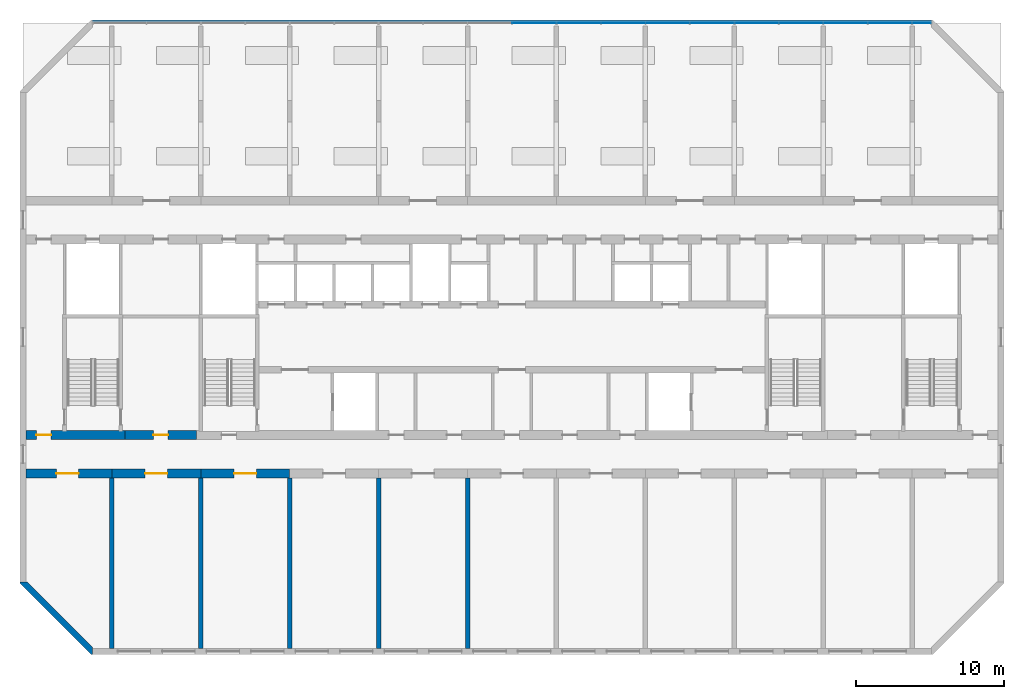
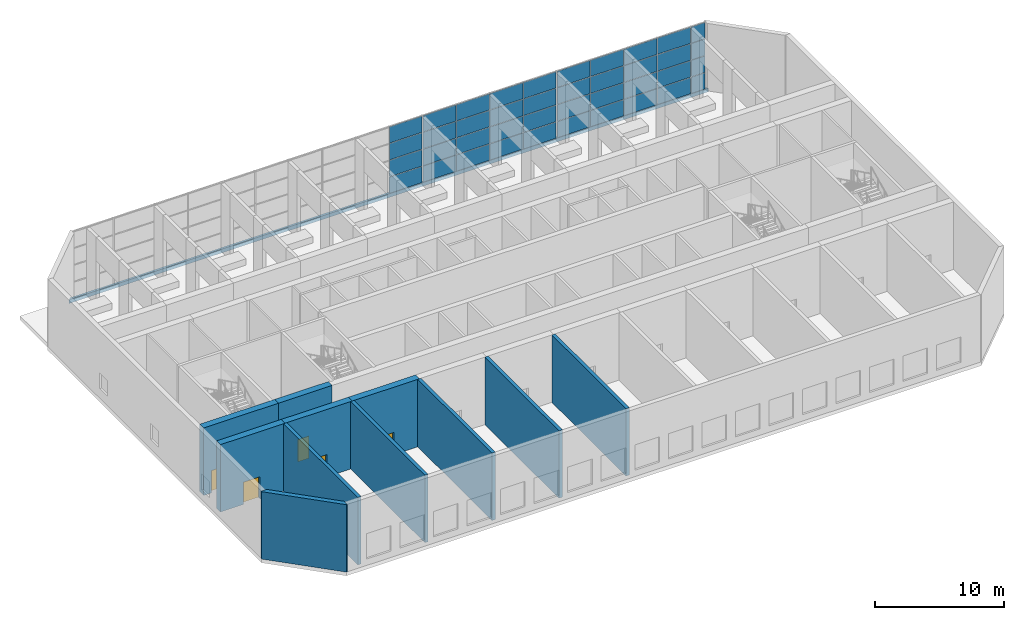
# One storey, part 5 of 13: 40 plates, 11 walls, 5 doors, 1 slab, 5 openings, 4 elements without a shape of their own.
"""IFC4 building model written with IfcOpenShell, lengths in metres."""

import ifcopenshell
import ifcopenshell.guid

model = None  # the IFC model being written
_history = None  # IfcOwnerHistory: only IFC2X3 demands one
_inside = {}  # id of a spatial element -> (the spatial element, [elements in it])
_under = {}  # id of a project, library or spatial element -> (it, [spatial elements below it])
_declared = {}  # id of a project -> (the project, [libraries it declares])
_typed = {}  # id of a type object -> (the type object, [elements of that type])
_made_of = {}  # id of a material, layer set ... -> (it, [elements and type objects made of it])


def new_model(schema):
    """Start an empty IFC model of exactly this schema.

    Asked for "IFC4X3", IfcOpenShell would pick the latest addendum, in which some entities
    have other attributes; the version numbers below select the first issue.
    IFC2X3 requires an IfcOwnerHistory on every rooted entity: one is made here for all.
    """
    global model, _history
    if schema == "IFC4X3":
        model = ifcopenshell.file(schema_version=(4, 3, 0, 0))
    else:
        model = ifcopenshell.file(schema=schema)
    _inside.clear()
    _under.clear()
    _declared.clear()
    _typed.clear()
    _made_of.clear()
    _history = None
    if model.schema == "IFC2X3":
        org = make("IfcOrganization", Name="unknown")
        user = make(
            "IfcPersonAndOrganization",
            ThePerson=make("IfcPerson", FamilyName="unknown"),
            TheOrganization=org,
        )
        app = make(
            "IfcApplication",
            ApplicationDeveloper=org,
            Version="unknown",
            ApplicationFullName="unknown",
            ApplicationIdentifier="unknown",
        )
        _history = make(
            "IfcOwnerHistory",
            OwningUser=user,
            OwningApplication=app,
            ChangeAction="ADDED",
            CreationDate=0,
        )
    return model


def make(cls, **values):
    """One entity of the class cls with the attributes given. An attribute that is None is left unset."""
    return model.create_entity(
        cls, **{name: value for name, value in values.items() if value is not None}
    )


def rooted(cls, **values):
    """An entity with a GlobalId (a new one), such as an element, a storey or a relation."""
    return make(cls, GlobalId=ifcopenshell.guid.new(), OwnerHistory=_history, **values)


def si_unit(unit_type, name, prefix=None):
    """IfcSIUnit, for example si_unit("LENGTHUNIT", "METRE", prefix="MILLI")."""
    return make("IfcSIUnit", UnitType=unit_type, Prefix=prefix, Name=name)


def assignment(units):
    """IfcUnitAssignment: the units of a project."""
    return None if units is None else make("IfcUnitAssignment", Units=units)


def point(xyz):
    """IfcCartesianPoint."""
    return None if xyz is None else make("IfcCartesianPoint", Coordinates=xyz)


def direction(xyz):
    """IfcDirection."""
    return None if xyz is None else make("IfcDirection", DirectionRatios=xyz)


def frame(location, z_axis=None, x_axis=None):
    """IfcAxis2Placement3D, a coordinate frame: its origin and axes. An axis left out is left unset."""
    return make(
        "IfcAxis2Placement3D",
        Location=point(location),
        Axis=direction(z_axis),
        RefDirection=direction(x_axis),
    )


def frame_2d(location, x_axis=None):
    """IfcAxis2Placement2D, a coordinate frame in the plane: its origin and x axis."""
    return make(
        "IfcAxis2Placement2D", Location=point(location), RefDirection=direction(x_axis)
    )


def origin():
    """The frame at (0, 0, 0) with its axes left unset."""
    return frame((0.0, 0.0, 0.0))


def origin_2d():
    """The frame at (0, 0) in the plane with its x axis left unset."""
    return frame_2d((0.0, 0.0))


def place(relative_to, where):
    """IfcLocalPlacement: puts the frame where relative to a parent placement (None: the world)."""
    return make(
        "IfcLocalPlacement", PlacementRelTo=relative_to, RelativePlacement=where
    )


def context(
    kind, dimensions, precision=None, world=None, true_north=None, identifier=None
):
    """IfcGeometricRepresentationContext, for example the 3D "Model" context."""
    return make(
        "IfcGeometricRepresentationContext",
        ContextIdentifier=identifier,
        ContextType=kind,
        CoordinateSpaceDimension=dimensions,
        Precision=precision,
        WorldCoordinateSystem=world,
        TrueNorth=true_north,
    )


def subcontext(parent, identifier, kind, view, scale=None):
    """IfcGeometricRepresentationSubContext, for example "Body" below "Model"."""
    return make(
        "IfcGeometricRepresentationSubContext",
        ContextIdentifier=identifier,
        ContextType=kind,
        ParentContext=parent,
        TargetScale=scale,
        TargetView=view,
    )


def project(units=None, contexts=None):
    """IfcProject with its units and contexts."""
    return rooted(
        "IfcProject",
        Name="project",
        RepresentationContexts=contexts,
        UnitsInContext=assignment(units),
    )


def spatial(cls, under=None, at=None, **own):
    """A site, building, storey or space (cls), placed at a placement, below another one or the project."""
    s = rooted(cls, ObjectPlacement=at, **own)
    if under is not None:
        _under.setdefault(under.id(), (under, []))[1].append(s)
    return s


def polyline(points):
    """IfcPolyline through the points."""
    return make("IfcPolyline", Points=[point(p) for p in points])


def profile(cls, at=None, kind="AREA", **sizes):
    """A parametric profile (cls). Its sizes go by their IFC names, for example OverallWidth=200.0."""
    return make(cls, ProfileType=kind, Position=at, **sizes)


def rectangle(**sizes):
    """IfcRectangleProfileDef."""
    return profile("IfcRectangleProfileDef", **sizes)


def outline(outer, holes=None, kind="AREA"):
    """IfcArbitraryClosedProfileDef: a profile drawn as a closed curve; with holes, ...WithVoids."""
    if holes is None:
        return make("IfcArbitraryClosedProfileDef", ProfileType=kind, OuterCurve=outer)
    return make(
        "IfcArbitraryProfileDefWithVoids",
        ProfileType=kind,
        OuterCurve=outer,
        InnerCurves=holes,
    )


def extrude(swept, where, along, depth):
    """IfcExtrudedAreaSolid: the profile swept, set in the frame where, extruded along a direction by depth."""
    return make(
        "IfcExtrudedAreaSolid",
        SweptArea=swept,
        Position=where,
        ExtrudedDirection=direction(along),
        Depth=depth,
    )


def shape(context_of_items, identifier, shape_type, items):
    """IfcShapeRepresentation: the items that make up one representation, for example the "Body"."""
    return make(
        "IfcShapeRepresentation",
        ContextOfItems=context_of_items,
        RepresentationIdentifier=identifier,
        RepresentationType=shape_type,
        Items=items,
    )


def source(mapping_origin, context_of_items, identifier, shape_type, items):
    """IfcRepresentationMap: a shape defined once, which mapped items show again and again."""
    return make(
        "IfcRepresentationMap",
        MappingOrigin=mapping_origin,
        MappedRepresentation=shape(context_of_items, identifier, shape_type, items),
    )


def transform(
    local_origin,
    x_axis=None,
    y_axis=None,
    z_axis=None,
    scale=None,
    scale2=None,
    scale3=None,
    uniform=True,
):
    """IfcCartesianTransformationOperator3D, or its non-uniform kind. x_axis, y_axis, z_axis: its Axis1, 2, 3."""
    if uniform:
        return make(
            "IfcCartesianTransformationOperator3D",
            Axis1=direction(x_axis),
            Axis2=direction(y_axis),
            LocalOrigin=point(local_origin),
            Scale=scale,
            Axis3=direction(z_axis),
        )
    return make(
        "IfcCartesianTransformationOperator3DnonUniform",
        Axis1=direction(x_axis),
        Axis2=direction(y_axis),
        LocalOrigin=point(local_origin),
        Scale=scale,
        Axis3=direction(z_axis),
        Scale2=scale2,
        Scale3=scale3,
    )


def mapped(mapping_source, mapping_target):
    """IfcMappedItem: shows the shape of a source again, moved by a transform."""
    return make(
        "IfcMappedItem", MappingSource=mapping_source, MappingTarget=mapping_target
    )


def material(Name=None, Category=None):
    """IfcMaterial."""
    return make("IfcMaterial", Name=Name, Category=Category)


def layer(
    of_material, thickness, ventilated=None, Name=None, Category=None, Priority=None
):
    """IfcMaterialLayer: one layer of a wall or slab, of a material (None: an air gap)."""
    return make(
        "IfcMaterialLayer",
        Material=of_material,
        LayerThickness=thickness,
        IsVentilated=ventilated,
        Name=Name,
        Category=Category,
        Priority=Priority,
    )


def layer_set(layers, Name=None):
    """IfcMaterialLayerSet."""
    return make("IfcMaterialLayerSet", MaterialLayers=layers, LayerSetName=Name)


def made_of(thing, what):
    """Note that an element or type object is made of a material, layer set ...; save() writes the relation."""
    if what is not None:
        _made_of.setdefault(what.id(), (what, []))[1].append(thing)
    return thing


def type_object(cls, material=None, **own):
    """A type object (cls), such as IfcWallType, which elements share."""
    return made_of(rooted(cls, **own), material)


def element(
    cls,
    number,
    at=None,
    inside=None,
    cuts=None,
    type_object=None,
    material=None,
    context=None,
    identifier="Body",
    shape_type=None,
    held_by="IfcProductDefinitionShape",
    body=None,
    shapes=None,
    **own,
):
    """One element of the class cls, such as IfcWall. Its Tag is "e" and its number.

    at: its placement. inside: the storey or other place that contains it. cuts: it is an
    opening in that element (IfcRelVoidsElement). A single representation is given by context,
    identifier, shape_type and body (its items); several are given by shapes. held_by: the class
    of the entity that holds the representations. save() writes the other relations.
    """
    e = rooted(cls, Tag="e%d" % number, ObjectPlacement=at, **own)
    if body is not None:
        shapes = [shape(context, identifier, shape_type, body)]
    if shapes is not None:
        e.Representation = make(held_by, Representations=shapes)
    if inside is not None:
        _inside.setdefault(inside.id(), (inside, []))[1].append(e)
    if cuts is not None:
        rooted(
            "IfcRelVoidsElement", RelatingBuildingElement=cuts, RelatedOpeningElement=e
        )
    if type_object is not None:
        _typed.setdefault(type_object.id(), (type_object, []))[1].append(e)
    return made_of(e, material)


def fill(opening, filler):
    """IfcRelFillsElement: the door or window that sits in an opening."""
    return rooted(
        "IfcRelFillsElement",
        RelatingOpeningElement=opening,
        RelatedBuildingElement=filler,
    )


def aggregate(whole, parts):
    """IfcRelAggregates: a whole, such as a stair, and the parts it consists of."""
    return rooted("IfcRelAggregates", RelatingObject=whole, RelatedObjects=parts)


def save(model, path):
    """Write the relations noted so far, then the file.

    IfcRelAggregates (storeys below a building ...), IfcRelContainedInSpatialStructure (elements
    in a storey), IfcRelDefinesByType, IfcRelAssociatesMaterial and IfcRelDeclares: one each for
    every whole, place, type object, material and project.
    """
    for whole, parts in _under.values():
        aggregate(whole, parts)
    for where, things in _inside.values():
        rooted(
            "IfcRelContainedInSpatialStructure",
            RelatedElements=things,
            RelatingStructure=where,
        )
    for kind, things in _typed.values():
        rooted("IfcRelDefinesByType", RelatedObjects=things, RelatingType=kind)
    for what, things in _made_of.values():
        rooted("IfcRelAssociatesMaterial", RelatedObjects=things, RelatingMaterial=what)
    for by, libraries in _declared.values():
        rooted("IfcRelDeclares", RelatingContext=by, RelatedDefinitions=libraries)
    model.write(path)


model = new_model("IFC4")

# Units and contexts
model_context = context("Model", 3, precision=1e-05, world=origin(), true_north=direction((0.0, 1.0)))
body_context = subcontext(model_context, "Body", "Model", "MODEL_VIEW")
ifc_project = project(units=[si_unit("LENGTHUNIT", "METRE"), si_unit("AREAUNIT", "SQUARE_METRE"), si_unit("VOLUMEUNIT", "CUBIC_METRE"), si_unit("PLANEANGLEUNIT", "RADIAN"), si_unit("MASSUNIT", "GRAM", prefix="KILO")], contexts=[model_context])

# Site, building, storey
site_placement = place(None, origin())
site = spatial("IfcSite", under=ifc_project, at=site_placement, CompositionType="ELEMENT")
building_placement = place(site_placement, origin())
building = spatial("IfcBuilding", under=site, at=building_placement, Name="Poui Terraces", CompositionType="ELEMENT")
storey_placement = place(building_placement, frame((0.0, 0.0, 165.300048828125)))
storey = spatial("IfcBuildingStorey", under=building, at=storey_placement, Name="L46", CompositionType="ELEMENT", Elevation=165.300048828125)

# Curtain wall, plates
ifc_material_1 = material(Name="Clear glass", Category="glass")
ifc_layer_1 = layer(ifc_material_1, 0.159912109375)
ifc_layer_set_1 = layer_set([ifc_layer_1], Name="Clear glass")
curtain_wall_type = type_object("IfcCurtainWallType", Name="CURTAIN WALL CW-D SKY GARDEN GLAZING", PredefinedType="NOTDEFINED", material=ifc_layer_set_1)
curtain_wall_1_placement = place(storey_placement, origin())
curtain_wall_1 = element("IfcCurtainWall", 1, at=curtain_wall_1_placement, inside=storey, type_object=curtain_wall_type, Name="CW-D SKY GARDEN GLAZING", PredefinedType="NOTDEFINED")
ifc_layer_2 = layer(ifc_material_1, 0.052001953125)
ifc_layer_set_2 = layer_set([ifc_layer_2], Name="Clear glass")
plate_type = type_object("IfcPlateType", Name="CW-D GLASS PANEL 52", PredefinedType="CURTAIN_PANEL", material=ifc_layer_set_2)
plate_1_placement = place(storey_placement, frame((52.487548828125, 42.39990234375, 0.050048828125), z_axis=(0.0, 0.0, 1.0), x_axis=(-1.0, 0.0, 0.0)))
plate_1 = element("IfcPlate", 2, at=plate_1_placement, type_object=plate_type, Name="CW-D panel 1.1", PredefinedType="CURTAIN_PANEL", context=body_context, shape_type="SweptSolid", body=[
    extrude(rectangle(XDim=2.925048828125, YDim=0.052001953125, at=origin_2d()), origin(), (0.0, 0.0, 1.0), 1.52001953125),
])
plate_2_placement = place(storey_placement, frame((52.487548828125, 42.39990234375, 1.619873046875), z_axis=(0.0, 0.0, 1.0), x_axis=(-1.0, 0.0, 0.0)))
plate_2 = element("IfcPlate", 3, at=plate_2_placement, type_object=plate_type, Name="CW-D panel 1.2", PredefinedType="CURTAIN_PANEL", context=body_context, shape_type="SweptSolid", body=[
    extrude(rectangle(XDim=2.925048828125, YDim=0.052001953125, at=origin_2d()), origin(), (0.0, 0.0, 1.0), 1.544921875),
])
plate_3_placement = place(storey_placement, frame((52.487548828125, 42.39990234375, 3.215087890625), z_axis=(0.0, 0.0, 1.0), x_axis=(-1.0, 0.0, 0.0)))
plate_3 = element("IfcPlate", 4, at=plate_3_placement, type_object=plate_type, Name="CW-D panel 1.3", PredefinedType="CURTAIN_PANEL", context=body_context, shape_type="SweptSolid", body=[
    extrude(rectangle(XDim=2.925048828125, YDim=0.052001953125, at=origin_2d()), origin(), (0.0, 0.0, 1.0), 1.544921875),
])
plate_4_placement = place(storey_placement, frame((52.487548828125, 42.39990234375, 4.81005859375), z_axis=(0.0, 0.0, 1.0), x_axis=(-1.0, 0.0, 0.0)))
plate_4 = element("IfcPlate", 5, at=plate_4_placement, type_object=plate_type, Name="CW-D panel 1.4", PredefinedType="CURTAIN_PANEL", context=body_context, shape_type="SweptSolid", body=[
    extrude(rectangle(XDim=2.925048828125, YDim=0.052001953125, at=origin_2d()), origin(), (0.0, 0.0, 1.0), 1.52001953125),
])
aggregate(curtain_wall_1, [plate_1, plate_2, plate_3, plate_4])

curtain_wall_2_placement = place(storey_placement, origin())
curtain_wall_2 = element("IfcCurtainWall", 6, at=curtain_wall_2_placement, inside=storey, type_object=curtain_wall_type, Name="CW-D SKY GARDEN GLAZING", PredefinedType="NOTDEFINED")
plate_5_placement = place(storey_placement, frame((64.487548828125, 42.39990234375, 0.050048828125), z_axis=(0.0, 0.0, 1.0), x_axis=(-1.0, 0.0, 0.0)))
plate_5 = element("IfcPlate", 7, at=plate_5_placement, type_object=plate_type, Name="CW-D panel 1.1", PredefinedType="CURTAIN_PANEL", context=body_context, shape_type="SweptSolid", body=[
    extrude(rectangle(XDim=2.925048828125, YDim=0.052001953125, at=origin_2d()), origin(), (0.0, 0.0, 1.0), 1.52001953125),
])
plate_6_placement = place(storey_placement, frame((64.487548828125, 42.39990234375, 1.619873046875), z_axis=(0.0, 0.0, 1.0), x_axis=(-1.0, 0.0, 0.0)))
plate_6 = element("IfcPlate", 8, at=plate_6_placement, type_object=plate_type, Name="CW-D panel 1.2", PredefinedType="CURTAIN_PANEL", context=body_context, shape_type="SweptSolid", body=[
    extrude(rectangle(XDim=2.925048828125, YDim=0.052001953125, at=origin_2d()), origin(), (0.0, 0.0, 1.0), 1.544921875),
])
plate_7_placement = place(storey_placement, frame((64.487548828125, 42.39990234375, 3.215087890625), z_axis=(0.0, 0.0, 1.0), x_axis=(-1.0, 0.0, 0.0)))
plate_7 = element("IfcPlate", 9, at=plate_7_placement, type_object=plate_type, Name="CW-D panel 1.3", PredefinedType="CURTAIN_PANEL", context=body_context, shape_type="SweptSolid", body=[
    extrude(rectangle(XDim=2.925048828125, YDim=0.052001953125, at=origin_2d()), origin(), (0.0, 0.0, 1.0), 1.544921875),
])
plate_8_placement = place(storey_placement, frame((64.487548828125, 42.39990234375, 4.81005859375), z_axis=(0.0, 0.0, 1.0), x_axis=(-1.0, 0.0, 0.0)))
plate_8 = element("IfcPlate", 10, at=plate_8_placement, type_object=plate_type, Name="CW-D panel 1.4", PredefinedType="CURTAIN_PANEL", context=body_context, shape_type="SweptSolid", body=[
    extrude(rectangle(XDim=2.925048828125, YDim=0.052001953125, at=origin_2d()), origin(), (0.0, 0.0, 1.0), 1.52001953125),
])
plate_9_placement = place(storey_placement, frame((61.5, 42.39990234375, 0.050048828125), z_axis=(0.0, 0.0, 1.0), x_axis=(-1.0, 0.0, 0.0)))
plate_9 = element("IfcPlate", 11, at=plate_9_placement, type_object=plate_type, Name="CW-D panel 2.1", PredefinedType="CURTAIN_PANEL", context=body_context, shape_type="SweptSolid", body=[
    extrude(rectangle(XDim=2.949951171875, YDim=0.052001953125, at=origin_2d()), origin(), (0.0, 0.0, 1.0), 1.52001953125),
])
plate_10_placement = place(storey_placement, frame((61.5, 42.39990234375, 1.619873046875), z_axis=(0.0, 0.0, 1.0), x_axis=(-1.0, 0.0, 0.0)))
plate_10 = element("IfcPlate", 12, at=plate_10_placement, type_object=plate_type, Name="CW-D panel 2.2", PredefinedType="CURTAIN_PANEL", context=body_context, shape_type="SweptSolid", body=[
    extrude(rectangle(XDim=2.949951171875, YDim=0.052001953125, at=origin_2d()), origin(), (0.0, 0.0, 1.0), 1.544921875),
])
plate_11_placement = place(storey_placement, frame((61.5, 42.39990234375, 3.215087890625), z_axis=(0.0, 0.0, 1.0), x_axis=(-1.0, 0.0, 0.0)))
plate_11 = element("IfcPlate", 13, at=plate_11_placement, type_object=plate_type, Name="CW-D panel 2.3", PredefinedType="CURTAIN_PANEL", context=body_context, shape_type="SweptSolid", body=[
    extrude(rectangle(XDim=2.949951171875, YDim=0.052001953125, at=origin_2d()), origin(), (0.0, 0.0, 1.0), 1.544921875),
])
plate_12_placement = place(storey_placement, frame((61.5, 42.39990234375, 4.81005859375), z_axis=(0.0, 0.0, 1.0), x_axis=(-1.0, 0.0, 0.0)))
plate_12 = element("IfcPlate", 14, at=plate_12_placement, type_object=plate_type, Name="CW-D panel 2.4", PredefinedType="CURTAIN_PANEL", context=body_context, shape_type="SweptSolid", body=[
    extrude(rectangle(XDim=2.949951171875, YDim=0.052001953125, at=origin_2d()), origin(), (0.0, 0.0, 1.0), 1.52001953125),
])
plate_13_placement = place(storey_placement, frame((58.5, 42.39990234375, 0.050048828125), z_axis=(0.0, 0.0, 1.0), x_axis=(-1.0, 0.0, 0.0)))
plate_13 = element("IfcPlate", 15, at=plate_13_placement, type_object=plate_type, Name="CW-D panel 3.1", PredefinedType="CURTAIN_PANEL", context=body_context, shape_type="SweptSolid", body=[
    extrude(rectangle(XDim=2.949951171875, YDim=0.052001953125, at=origin_2d()), origin(), (0.0, 0.0, 1.0), 1.52001953125),
])
plate_14_placement = place(storey_placement, frame((58.5, 42.39990234375, 1.619873046875), z_axis=(0.0, 0.0, 1.0), x_axis=(-1.0, 0.0, 0.0)))
plate_14 = element("IfcPlate", 16, at=plate_14_placement, type_object=plate_type, Name="CW-D panel 3.2", PredefinedType="CURTAIN_PANEL", context=body_context, shape_type="SweptSolid", body=[
    extrude(rectangle(XDim=2.949951171875, YDim=0.052001953125, at=origin_2d()), origin(), (0.0, 0.0, 1.0), 1.544921875),
])
plate_15_placement = place(storey_placement, frame((58.5, 42.39990234375, 3.215087890625), z_axis=(0.0, 0.0, 1.0), x_axis=(-1.0, 0.0, 0.0)))
plate_15 = element("IfcPlate", 17, at=plate_15_placement, type_object=plate_type, Name="CW-D panel 3.3", PredefinedType="CURTAIN_PANEL", context=body_context, shape_type="SweptSolid", body=[
    extrude(rectangle(XDim=2.949951171875, YDim=0.052001953125, at=origin_2d()), origin(), (0.0, 0.0, 1.0), 1.544921875),
])
plate_16_placement = place(storey_placement, frame((58.5, 42.39990234375, 4.81005859375), z_axis=(0.0, 0.0, 1.0), x_axis=(-1.0, 0.0, 0.0)))
plate_16 = element("IfcPlate", 18, at=plate_16_placement, type_object=plate_type, Name="CW-D panel 3.4", PredefinedType="CURTAIN_PANEL", context=body_context, shape_type="SweptSolid", body=[
    extrude(rectangle(XDim=2.949951171875, YDim=0.052001953125, at=origin_2d()), origin(), (0.0, 0.0, 1.0), 1.52001953125),
])
plate_17_placement = place(storey_placement, frame((55.512451171875, 42.39990234375, 0.050048828125), z_axis=(0.0, 0.0, 1.0), x_axis=(-1.0, 0.0, 0.0)))
plate_17 = element("IfcPlate", 19, at=plate_17_placement, type_object=plate_type, Name="CW-D panel 4.1", PredefinedType="CURTAIN_PANEL", context=body_context, shape_type="SweptSolid", body=[
    extrude(rectangle(XDim=2.925048828125, YDim=0.052001953125, at=origin_2d()), origin(), (0.0, 0.0, 1.0), 1.52001953125),
])
plate_18_placement = place(storey_placement, frame((55.512451171875, 42.39990234375, 1.619873046875), z_axis=(0.0, 0.0, 1.0), x_axis=(-1.0, 0.0, 0.0)))
plate_18 = element("IfcPlate", 20, at=plate_18_placement, type_object=plate_type, Name="CW-D panel 4.2", PredefinedType="CURTAIN_PANEL", context=body_context, shape_type="SweptSolid", body=[
    extrude(rectangle(XDim=2.925048828125, YDim=0.052001953125, at=origin_2d()), origin(), (0.0, 0.0, 1.0), 1.544921875),
])
plate_19_placement = place(storey_placement, frame((55.512451171875, 42.39990234375, 3.215087890625), z_axis=(0.0, 0.0, 1.0), x_axis=(-1.0, 0.0, 0.0)))
plate_19 = element("IfcPlate", 21, at=plate_19_placement, type_object=plate_type, Name="CW-D panel 4.3", PredefinedType="CURTAIN_PANEL", context=body_context, shape_type="SweptSolid", body=[
    extrude(rectangle(XDim=2.925048828125, YDim=0.052001953125, at=origin_2d()), origin(), (0.0, 0.0, 1.0), 1.544921875),
])
plate_20_placement = place(storey_placement, frame((55.512451171875, 42.39990234375, 4.81005859375), z_axis=(0.0, 0.0, 1.0), x_axis=(-1.0, 0.0, 0.0)))
plate_20 = element("IfcPlate", 22, at=plate_20_placement, type_object=plate_type, Name="CW-D panel 4.4", PredefinedType="CURTAIN_PANEL", context=body_context, shape_type="SweptSolid", body=[
    extrude(rectangle(XDim=2.925048828125, YDim=0.052001953125, at=origin_2d()), origin(), (0.0, 0.0, 1.0), 1.52001953125),
])
aggregate(curtain_wall_2, [plate_5, plate_6, plate_7, plate_8, plate_9, plate_10, plate_11, plate_12, plate_13, plate_14, plate_15, plate_16, plate_17, plate_18, plate_19, plate_20])

curtain_wall_3_placement = place(storey_placement, origin())
curtain_wall_3 = element("IfcCurtainWall", 23, at=curtain_wall_3_placement, inside=storey, type_object=curtain_wall_type, Name="CW-D SKY GARDEN GLAZING", PredefinedType="NOTDEFINED")
plate_21_placement = place(storey_placement, frame((76.487548828125, 42.39990234375, 0.050048828125), z_axis=(0.0, 0.0, 1.0), x_axis=(-1.0, 0.0, 0.0)))
plate_21 = element("IfcPlate", 24, at=plate_21_placement, type_object=plate_type, Name="CW-D panel 1.1", PredefinedType="CURTAIN_PANEL", context=body_context, shape_type="SweptSolid", body=[
    extrude(rectangle(XDim=2.925048828125, YDim=0.052001953125, at=origin_2d()), origin(), (0.0, 0.0, 1.0), 1.52001953125),
])
plate_22_placement = place(storey_placement, frame((76.487548828125, 42.39990234375, 1.619873046875), z_axis=(0.0, 0.0, 1.0), x_axis=(-1.0, 0.0, 0.0)))
plate_22 = element("IfcPlate", 25, at=plate_22_placement, type_object=plate_type, Name="CW-D panel 1.2", PredefinedType="CURTAIN_PANEL", context=body_context, shape_type="SweptSolid", body=[
    extrude(rectangle(XDim=2.925048828125, YDim=0.052001953125, at=origin_2d()), origin(), (0.0, 0.0, 1.0), 1.544921875),
])
plate_23_placement = place(storey_placement, frame((76.487548828125, 42.39990234375, 3.215087890625), z_axis=(0.0, 0.0, 1.0), x_axis=(-1.0, 0.0, 0.0)))
plate_23 = element("IfcPlate", 26, at=plate_23_placement, type_object=plate_type, Name="CW-D panel 1.3", PredefinedType="CURTAIN_PANEL", context=body_context, shape_type="SweptSolid", body=[
    extrude(rectangle(XDim=2.925048828125, YDim=0.052001953125, at=origin_2d()), origin(), (0.0, 0.0, 1.0), 1.544921875),
])
plate_24_placement = place(storey_placement, frame((76.487548828125, 42.39990234375, 4.81005859375), z_axis=(0.0, 0.0, 1.0), x_axis=(-1.0, 0.0, 0.0)))
plate_24 = element("IfcPlate", 27, at=plate_24_placement, type_object=plate_type, Name="CW-D panel 1.4", PredefinedType="CURTAIN_PANEL", context=body_context, shape_type="SweptSolid", body=[
    extrude(rectangle(XDim=2.925048828125, YDim=0.052001953125, at=origin_2d()), origin(), (0.0, 0.0, 1.0), 1.52001953125),
])
plate_25_placement = place(storey_placement, frame((73.5, 42.39990234375, 0.050048828125), z_axis=(0.0, 0.0, 1.0), x_axis=(-1.0, 0.0, 0.0)))
plate_25 = element("IfcPlate", 28, at=plate_25_placement, type_object=plate_type, Name="CW-D panel 2.1", PredefinedType="CURTAIN_PANEL", context=body_context, shape_type="SweptSolid", body=[
    extrude(rectangle(XDim=2.949951171875, YDim=0.052001953125, at=origin_2d()), origin(), (0.0, 0.0, 1.0), 1.52001953125),
])
plate_26_placement = place(storey_placement, frame((73.5, 42.39990234375, 1.619873046875), z_axis=(0.0, 0.0, 1.0), x_axis=(-1.0, 0.0, 0.0)))
plate_26 = element("IfcPlate", 29, at=plate_26_placement, type_object=plate_type, Name="CW-D panel 2.2", PredefinedType="CURTAIN_PANEL", context=body_context, shape_type="SweptSolid", body=[
    extrude(rectangle(XDim=2.949951171875, YDim=0.052001953125, at=origin_2d()), origin(), (0.0, 0.0, 1.0), 1.544921875),
])
plate_27_placement = place(storey_placement, frame((73.5, 42.39990234375, 3.215087890625), z_axis=(0.0, 0.0, 1.0), x_axis=(-1.0, 0.0, 0.0)))
plate_27 = element("IfcPlate", 30, at=plate_27_placement, type_object=plate_type, Name="CW-D panel 2.3", PredefinedType="CURTAIN_PANEL", context=body_context, shape_type="SweptSolid", body=[
    extrude(rectangle(XDim=2.949951171875, YDim=0.052001953125, at=origin_2d()), origin(), (0.0, 0.0, 1.0), 1.544921875),
])
plate_28_placement = place(storey_placement, frame((73.5, 42.39990234375, 4.81005859375), z_axis=(0.0, 0.0, 1.0), x_axis=(-1.0, 0.0, 0.0)))
plate_28 = element("IfcPlate", 31, at=plate_28_placement, type_object=plate_type, Name="CW-D panel 2.4", PredefinedType="CURTAIN_PANEL", context=body_context, shape_type="SweptSolid", body=[
    extrude(rectangle(XDim=2.949951171875, YDim=0.052001953125, at=origin_2d()), origin(), (0.0, 0.0, 1.0), 1.52001953125),
])
plate_29_placement = place(storey_placement, frame((70.5, 42.39990234375, 0.050048828125), z_axis=(0.0, 0.0, 1.0), x_axis=(-1.0, 0.0, 0.0)))
plate_29 = element("IfcPlate", 32, at=plate_29_placement, type_object=plate_type, Name="CW-D panel 3.1", PredefinedType="CURTAIN_PANEL", context=body_context, shape_type="SweptSolid", body=[
    extrude(rectangle(XDim=2.949951171875, YDim=0.052001953125, at=origin_2d()), origin(), (0.0, 0.0, 1.0), 1.52001953125),
])
plate_30_placement = place(storey_placement, frame((70.5, 42.39990234375, 1.619873046875), z_axis=(0.0, 0.0, 1.0), x_axis=(-1.0, 0.0, 0.0)))
plate_30 = element("IfcPlate", 33, at=plate_30_placement, type_object=plate_type, Name="CW-D panel 3.2", PredefinedType="CURTAIN_PANEL", context=body_context, shape_type="SweptSolid", body=[
    extrude(rectangle(XDim=2.949951171875, YDim=0.052001953125, at=origin_2d()), origin(), (0.0, 0.0, 1.0), 1.544921875),
])
plate_31_placement = place(storey_placement, frame((70.5, 42.39990234375, 3.215087890625), z_axis=(0.0, 0.0, 1.0), x_axis=(-1.0, 0.0, 0.0)))
plate_31 = element("IfcPlate", 34, at=plate_31_placement, type_object=plate_type, Name="CW-D panel 3.3", PredefinedType="CURTAIN_PANEL", context=body_context, shape_type="SweptSolid", body=[
    extrude(rectangle(XDim=2.949951171875, YDim=0.052001953125, at=origin_2d()), origin(), (0.0, 0.0, 1.0), 1.544921875),
])
plate_32_placement = place(storey_placement, frame((70.5, 42.39990234375, 4.81005859375), z_axis=(0.0, 0.0, 1.0), x_axis=(-1.0, 0.0, 0.0)))
plate_32 = element("IfcPlate", 35, at=plate_32_placement, type_object=plate_type, Name="CW-D panel 3.4", PredefinedType="CURTAIN_PANEL", context=body_context, shape_type="SweptSolid", body=[
    extrude(rectangle(XDim=2.949951171875, YDim=0.052001953125, at=origin_2d()), origin(), (0.0, 0.0, 1.0), 1.52001953125),
])
plate_33_placement = place(storey_placement, frame((67.512451171875, 42.39990234375, 0.050048828125), z_axis=(0.0, 0.0, 1.0), x_axis=(-1.0, 0.0, 0.0)))
plate_33 = element("IfcPlate", 36, at=plate_33_placement, type_object=plate_type, Name="CW-D panel 4.1", PredefinedType="CURTAIN_PANEL", context=body_context, shape_type="SweptSolid", body=[
    extrude(rectangle(XDim=2.925048828125, YDim=0.052001953125, at=origin_2d()), origin(), (0.0, 0.0, 1.0), 1.52001953125),
])
plate_34_placement = place(storey_placement, frame((67.512451171875, 42.39990234375, 1.619873046875), z_axis=(0.0, 0.0, 1.0), x_axis=(-1.0, 0.0, 0.0)))
plate_34 = element("IfcPlate", 37, at=plate_34_placement, type_object=plate_type, Name="CW-D panel 4.2", PredefinedType="CURTAIN_PANEL", context=body_context, shape_type="SweptSolid", body=[
    extrude(rectangle(XDim=2.925048828125, YDim=0.052001953125, at=origin_2d()), origin(), (0.0, 0.0, 1.0), 1.544921875),
])
plate_35_placement = place(storey_placement, frame((67.512451171875, 42.39990234375, 3.215087890625), z_axis=(0.0, 0.0, 1.0), x_axis=(-1.0, 0.0, 0.0)))
plate_35 = element("IfcPlate", 38, at=plate_35_placement, type_object=plate_type, Name="CW-D panel 4.3", PredefinedType="CURTAIN_PANEL", context=body_context, shape_type="SweptSolid", body=[
    extrude(rectangle(XDim=2.925048828125, YDim=0.052001953125, at=origin_2d()), origin(), (0.0, 0.0, 1.0), 1.544921875),
])
plate_36_placement = place(storey_placement, frame((67.512451171875, 42.39990234375, 4.81005859375), z_axis=(0.0, 0.0, 1.0), x_axis=(-1.0, 0.0, 0.0)))
plate_36 = element("IfcPlate", 39, at=plate_36_placement, type_object=plate_type, Name="CW-D panel 4.4", PredefinedType="CURTAIN_PANEL", context=body_context, shape_type="SweptSolid", body=[
    extrude(rectangle(XDim=2.925048828125, YDim=0.052001953125, at=origin_2d()), origin(), (0.0, 0.0, 1.0), 1.52001953125),
])
aggregate(curtain_wall_3, [plate_21, plate_22, plate_23, plate_24, plate_25, plate_26, plate_27, plate_28, plate_29, plate_30, plate_31, plate_32, plate_33, plate_34, plate_35, plate_36])

curtain_wall_4_placement = place(storey_placement, origin())
curtain_wall_4 = element("IfcCurtainWall", 40, at=curtain_wall_4_placement, inside=storey, type_object=curtain_wall_type, Name="CW-D SKY GARDEN GLAZING", PredefinedType="NOTDEFINED")
plate_37_placement = place(storey_placement, frame((78.65869140625, 42.39990234375, 0.050048828125), z_axis=(0.0, 0.0, 1.0), x_axis=(-1.0, 0.0, 0.0)))
plate_37 = element("IfcPlate", 41, at=plate_37_placement, type_object=plate_type, Name="CW-D panel 1.1", PredefinedType="CURTAIN_PANEL", context=body_context, shape_type="SweptSolid", body=[
    extrude(rectangle(XDim=1.21728515625, YDim=0.052001953125, at=origin_2d()), origin(), (0.0, 0.0, 1.0), 1.52001953125),
])
plate_38_placement = place(storey_placement, frame((78.65869140625, 42.39990234375, 1.619873046875), z_axis=(0.0, 0.0, 1.0), x_axis=(-1.0, 0.0, 0.0)))
plate_38 = element("IfcPlate", 42, at=plate_38_placement, type_object=plate_type, Name="CW-D panel 1.2", PredefinedType="CURTAIN_PANEL", context=body_context, shape_type="SweptSolid", body=[
    extrude(rectangle(XDim=1.21728515625, YDim=0.052001953125, at=origin_2d()), origin(), (0.0, 0.0, 1.0), 1.544921875),
])
plate_39_placement = place(storey_placement, frame((78.65869140625, 42.39990234375, 3.215087890625), z_axis=(0.0, 0.0, 1.0), x_axis=(-1.0, 0.0, 0.0)))
plate_39 = element("IfcPlate", 43, at=plate_39_placement, type_object=plate_type, Name="CW-D panel 1.3", PredefinedType="CURTAIN_PANEL", context=body_context, shape_type="SweptSolid", body=[
    extrude(rectangle(XDim=1.21728515625, YDim=0.052001953125, at=origin_2d()), origin(), (0.0, 0.0, 1.0), 1.544921875),
])
plate_40_placement = place(storey_placement, frame((78.65869140625, 42.39990234375, 4.81005859375), z_axis=(0.0, 0.0, 1.0), x_axis=(-1.0, 0.0, 0.0)))
plate_40 = element("IfcPlate", 44, at=plate_40_placement, type_object=plate_type, Name="CW-D panel 1.4", PredefinedType="CURTAIN_PANEL", context=body_context, shape_type="SweptSolid", body=[
    extrude(rectangle(XDim=1.21728515625, YDim=0.052001953125, at=origin_2d()), origin(), (0.0, 0.0, 1.0), 1.52001953125),
])
aggregate(curtain_wall_4, [plate_37, plate_38, plate_39, plate_40])

# Slab
ifc_material_2 = material(Name="Concrete 40 MPa", Category="concrete")
ifc_layer_3 = layer(ifc_material_2, 0.35009765625)
ifc_layer_set_3 = layer_set([ifc_layer_3], Name="Concrete 40 MPa")
slab_type = type_object("IfcSlabType", Name="FLOOR SLAB 350", PredefinedType="FLOOR", material=ifc_layer_set_3)
shared_shape = source(origin(), body_context, "Body", "SweptSolid", [
    extrude(outline(polyline([(0.0, 0.0), (-56.7998046875, 0.0), (-57.0, -0.2001953125), (0.2001953125, -0.2001953125), (0.0, 0.0)])), origin(), (0.0, 0.0, 1.0), 0.35009765625),
])
slab_placement = place(storey_placement, frame((79.39990234375, 42.60009765625, -0.35009765625)))
element("IfcSlab", 45, at=slab_placement, inside=storey, type_object=slab_type, Name="FLOOR SLAB", PredefinedType="FLOOR", context=body_context, shape_type="MappedRepresentation", body=[
    mapped(shared_shape, transform((0.0, 0.0, 0.0))),
])

# Wall, opening, door
ifc_material_3 = material(Name="Concrete 65 MPa", Category="concrete")
ifc_layer_4 = layer(ifc_material_3, 0.60009765625)
ifc_layer_set_4 = layer_set([ifc_layer_4], Name="Concrete 65 MPa")
wall_type_1 = type_object("IfcWallType", Name="BELT WALL 600 65MPa", PredefinedType="SHEAR", material=ifc_layer_set_4)
wall_1_placement = place(storey_placement, frame((18.199951171875, 12.0, 0.0), z_axis=(0.0, 0.0, 1.0), x_axis=(1.0, 0.0, 0.0)))
wall_1 = element("IfcWall", 46, at=wall_1_placement, inside=storey, type_object=wall_type_1, Name="BELT WALL LINE B BAY 1", PredefinedType="SHEAR", context=body_context, shape_type="SweptSolid", body=[
    extrude(rectangle(XDim=5.800048828125, YDim=0.60009765625, at=frame_2d((2.89990234375, 0.0))), origin(), (0.0, 0.0, 1.0), 6.3798828125),
])
opening_1_placement = place(wall_1_placement, frame((2.050048828125, 0.0, 0.0)))
opening_1 = element("IfcOpeningElement", 47, at=opening_1_placement, cuts=wall_1, Name="Opening FDP", PredefinedType="OPENING", context=body_context, shape_type="SweptSolid", body=[
    extrude(rectangle(XDim=1.5, YDim=2.10009765625, at=frame_2d((0.75, 1.050048828125))), frame((0.0, 0.31005859375, 0.0), z_axis=(0.0, -1.0, 0.0), x_axis=(1.0, 0.0, 0.0)), (0.0, 0.0, 1.0), 0.6201171875),
])
ifc_material_4 = material(Name="Steel fire door", Category="steel")
door_type_1 = type_object("IfcDoorType", Name="PLANT ROOM DOOR PAIR 1500 X 2100", OperationType="DOUBLE_DOOR_SINGLE_SWING", PredefinedType="DOOR", material=ifc_material_4)
door_1_placement = place(opening_1_placement, origin())
door_1 = element("IfcDoor", 48, at=door_1_placement, inside=storey, type_object=door_type_1, Name="PLANT ROOM DOOR PAIR 024", OperationType="DOUBLE_DOOR_SINGLE_SWING", OverallHeight=2.10009765625, OverallWidth=1.5, PredefinedType="DOOR", context=body_context, shape_type="SweptSolid", body=[
    extrude(rectangle(XDim=1.5, YDim=2.10009765625, at=frame_2d((0.75, 1.050048828125))), frame((0.0, 0.02490234375, 0.0), z_axis=(0.0, -1.0, 0.0), x_axis=(1.0, 0.0, 0.0)), (0.0, 0.0, 1.0), 0.050048828125),
])
fill(opening_1, door_1)

wall_2_placement = place(storey_placement, frame((24.0, 12.0, 0.0), z_axis=(0.0, 0.0, 1.0), x_axis=(1.0, 0.0, 0.0)))
wall_2 = element("IfcWall", 49, at=wall_2_placement, inside=storey, type_object=wall_type_1, Name="BELT WALL LINE B BAY 2", PredefinedType="SHEAR", context=body_context, shape_type="SweptSolid", body=[
    extrude(rectangle(XDim=6.0, YDim=0.60009765625, at=frame_2d((3.0, 0.0))), origin(), (0.0, 0.0, 1.0), 6.3798828125),
])
opening_2_placement = place(wall_2_placement, frame((2.25, 0.0, 0.0)))
opening_2 = element("IfcOpeningElement", 50, at=opening_2_placement, cuts=wall_2, Name="Opening FDP", PredefinedType="OPENING", context=body_context, shape_type="SweptSolid", body=[
    extrude(rectangle(XDim=1.5, YDim=2.10009765625, at=frame_2d((0.75, 1.050048828125))), frame((0.0, 0.31005859375, 0.0), z_axis=(0.0, -1.0, 0.0), x_axis=(1.0, 0.0, 0.0)), (0.0, 0.0, 1.0), 0.6201171875),
])
door_2_placement = place(opening_2_placement, origin())
door_2 = element("IfcDoor", 51, at=door_2_placement, inside=storey, type_object=door_type_1, Name="PLANT ROOM DOOR PAIR 025", OperationType="DOUBLE_DOOR_SINGLE_SWING", OverallHeight=2.10009765625, OverallWidth=1.5, PredefinedType="DOOR", context=body_context, shape_type="SweptSolid", body=[
    extrude(rectangle(XDim=1.5, YDim=2.10009765625, at=frame_2d((0.75, 1.050048828125))), frame((0.0, 0.02490234375, 0.0), z_axis=(0.0, -1.0, 0.0), x_axis=(1.0, 0.0, 0.0)), (0.0, 0.0, 1.0), 0.050048828125),
])
fill(opening_2, door_2)

wall_3_placement = place(storey_placement, frame((30.0, 12.0, 0.0), z_axis=(0.0, 0.0, 1.0), x_axis=(1.0, 0.0, 0.0)))
wall_3 = element("IfcWall", 52, at=wall_3_placement, inside=storey, type_object=wall_type_1, Name="BELT WALL LINE B BAY 3", PredefinedType="SHEAR", context=body_context, shape_type="SweptSolid", body=[
    extrude(rectangle(XDim=6.0, YDim=0.60009765625, at=frame_2d((3.0, 0.0))), origin(), (0.0, 0.0, 1.0), 6.3798828125),
])
opening_3_placement = place(wall_3_placement, frame((2.25, 0.0, 0.0)))
opening_3 = element("IfcOpeningElement", 53, at=opening_3_placement, cuts=wall_3, Name="Opening FDP", PredefinedType="OPENING", context=body_context, shape_type="SweptSolid", body=[
    extrude(rectangle(XDim=1.5, YDim=2.10009765625, at=frame_2d((0.75, 1.050048828125))), frame((0.0, 0.31005859375, 0.0), z_axis=(0.0, -1.0, 0.0), x_axis=(1.0, 0.0, 0.0)), (0.0, 0.0, 1.0), 0.6201171875),
])
door_3_placement = place(opening_3_placement, origin())
door_3 = element("IfcDoor", 54, at=door_3_placement, inside=storey, type_object=door_type_1, Name="PLANT ROOM DOOR PAIR 028", OperationType="DOUBLE_DOOR_SINGLE_SWING", OverallHeight=2.10009765625, OverallWidth=1.5, PredefinedType="DOOR", context=body_context, shape_type="SweptSolid", body=[
    extrude(rectangle(XDim=1.5, YDim=2.10009765625, at=frame_2d((0.75, 1.050048828125))), frame((0.0, 0.02490234375, 0.0), z_axis=(0.0, -1.0, 0.0), x_axis=(1.0, 0.0, 0.0)), (0.0, 0.0, 1.0), 0.050048828125),
])
fill(opening_3, door_3)

# Walls
ifc_layer_5 = layer(ifc_material_3, 0.300048828125)
ifc_layer_set_5 = layer_set([ifc_layer_5], Name="Concrete 65 MPa")
wall_type_2 = type_object("IfcWallType", Name="CROSS WALL 300 65MPa", PredefinedType="SHEAR", material=ifc_layer_set_5)
for number, where, z_axis, x_axis, name in (
    (55, (24.0, 0.199951171875, 0.0), (0.0, 0.0, 1.0), (0.0, 1.0, 0.0), "CROSS WALL LINE 5 SOUTH"),
    (56, (30.0, 0.199951171875, 0.0), (0.0, 0.0, 1.0), (0.0, 1.0, 0.0), "CROSS WALL LINE 6 SOUTH"),
    (57, (36.0, 0.199951171875, 0.0), (0.0, 0.0, 1.0), (0.0, 1.0, 0.0), "CROSS WALL LINE 7 SOUTH"),
    (58, (42.0, 0.199951171875, 0.0), (0.0, 0.0, 1.0), (0.0, 1.0, 0.0), "CROSS WALL LINE 8 SOUTH"),
    (59, (48.0, 0.199951171875, 0.0), (0.0, 0.0, 1.0), (0.0, 1.0, 0.0), "CROSS WALL LINE 9 SOUTH"),
):
    element("IfcWall", number, at=place(storey_placement, frame(where, z_axis=z_axis, x_axis=x_axis)), inside=storey, type_object=wall_type_2, Name=name, PredefinedType="SHEAR", context=body_context, shape_type="SweptSolid", body=[
        extrude(rectangle(XDim=11.5, YDim=0.300048828125, at=frame_2d((5.75, 0.0))), origin(), (0.0, 0.0, 1.0), 6.3798828125),
    ])

# Wall, opening, door
ifc_layer_6 = layer(ifc_material_3, 0.60009765625)
ifc_layer_set_6 = layer_set([ifc_layer_6], Name="Concrete 65 MPa")
wall_type_3 = type_object("IfcWallType", Name="OUTRIGGER WALL 600 65MPa", PredefinedType="SHEAR", material=ifc_layer_set_6)
wall_4_placement = place(storey_placement, frame((24.89990234375, 14.60009765625, 0.0), z_axis=(0.0, 0.0, 1.0), x_axis=(1.0, 0.0, 0.0)))
wall_4 = element("IfcWall", 60, at=wall_4_placement, inside=storey, type_object=wall_type_3, Name="OUTRIGGER WALL LINE C W2", PredefinedType="SHEAR", context=body_context, shape_type="SweptSolid", body=[
    extrude(rectangle(XDim=4.800048828125, YDim=0.60009765625, at=frame_2d((2.39990234375, 0.0))), origin(), (0.0, 0.0, 1.0), 6.3798828125),
])
opening_4_placement = place(wall_4_placement, frame((1.89990234375, 0.0, 0.0)))
opening_4 = element("IfcOpeningElement", 61, at=opening_4_placement, cuts=wall_4, Name="Opening FDRF", PredefinedType="OPENING", context=body_context, shape_type="SweptSolid", body=[
    extrude(rectangle(XDim=1.0, YDim=2.10009765625, at=frame_2d((0.5, 1.050048828125))), frame((0.0, 0.31005859375, 0.0), z_axis=(0.0, -1.0, 0.0), x_axis=(1.0, 0.0, 0.0)), (0.0, 0.0, 1.0), 0.6201171875),
])
door_type_2 = type_object("IfcDoorType", Name="REFUGE AREA DOOR 1000 X 2100", OperationType="NOTDEFINED", PredefinedType="DOOR", material=ifc_material_4)
door_4_placement = place(opening_4_placement, frame((1.0, 0.0, 0.0), z_axis=(0.0, 0.0, 1.0), x_axis=(-1.0, 0.0, 0.0)))
door_4 = element("IfcDoor", 62, at=door_4_placement, inside=storey, type_object=door_type_2, Name="REFUGE AREA DOOR 026", OperationType="SINGLE_SWING_RIGHT", OverallHeight=2.10009765625, OverallWidth=1.0, PredefinedType="DOOR", context=body_context, shape_type="SweptSolid", body=[
    extrude(rectangle(XDim=1.0, YDim=2.10009765625, at=frame_2d((0.5, 1.050048828125))), frame((0.0, 0.02490234375, 0.0), z_axis=(0.0, -1.0, 0.0), x_axis=(1.0, 0.0, 0.0)), (0.0, 0.0, 1.0), 0.050048828125),
])
fill(opening_4, door_4)

ifc_layer_7 = layer(ifc_material_3, 0.60009765625)
ifc_layer_set_7 = layer_set([ifc_layer_7], Name="Concrete 65 MPa")
wall_type_4 = type_object("IfcWallType", Name="SPINE WALL 600 65 MPA", PredefinedType="SOLIDWALL", material=ifc_layer_set_7)
wall_5_placement = place(storey_placement, frame((18.199951171875, 14.60009765625, 0.0), z_axis=(0.0, 0.0, 1.0), x_axis=(1.0, 0.0, 0.0)))
wall_5 = element("IfcWall", 63, at=wall_5_placement, inside=storey, type_object=wall_type_4, Name="SPINE WALL", PredefinedType="SOLIDWALL", context=body_context, shape_type="SweptSolid", body=[
    extrude(rectangle(XDim=6.699951171875, YDim=0.60009765625, at=frame_2d((3.35009765625, 0.0))), origin(), (0.0, 0.0, 1.0), 6.3798828125),
])
opening_5_placement = place(wall_5_placement, frame((0.699951171875, 0.0, 0.0)))
opening_5 = element("IfcOpeningElement", 64, at=opening_5_placement, cuts=wall_5, Name="Opening FDL", PredefinedType="OPENING", context=body_context, shape_type="SweptSolid", body=[
    extrude(rectangle(XDim=1.0, YDim=2.10009765625, at=frame_2d((0.5, 1.050048828125))), frame((0.0, 0.31005859375, 0.0), z_axis=(0.0, -1.0, 0.0), x_axis=(1.0, 0.0, 0.0)), (0.0, 0.0, 1.0), 0.6201171875),
])
door_type_3 = type_object("IfcDoorType", Name="LOBBY FIRE DOOR 1000 X 2100", OperationType="NOTDEFINED", PredefinedType="DOOR", material=ifc_material_4)
door_5_placement = place(opening_5_placement, frame((1.0, 0.0, 0.0), z_axis=(0.0, 0.0, 1.0), x_axis=(-1.0, 0.0, 0.0)))
door_5 = element("IfcDoor", 65, at=door_5_placement, inside=storey, type_object=door_type_3, Name="LOBBY FIRE DOOR 023", OperationType="SINGLE_SWING_RIGHT", OverallHeight=2.10009765625, OverallWidth=1.0, PredefinedType="DOOR", context=body_context, shape_type="SweptSolid", body=[
    extrude(rectangle(XDim=1.0, YDim=2.10009765625, at=frame_2d((0.5, 1.050048828125))), frame((0.0, 0.02490234375, 0.0), z_axis=(0.0, -1.0, 0.0), x_axis=(1.0, 0.0, 0.0)), (0.0, 0.0, 1.0), 0.050048828125),
])
fill(opening_5, door_5)

# Wall
ifc_material_5 = material(Name="Precast concrete 40 MPa", Category="concrete")
ifc_layer_8 = layer(ifc_material_5, 0.39990234375)
ifc_layer_set_8 = layer_set([ifc_layer_8], Name="Precast concrete 40 MPa")
wall_type_5 = type_object("IfcWallType", Name="TERRACOTTA CLAD CHAMFER WALL 400", PredefinedType="STANDARD", material=ifc_layer_set_8)
wall_6_placement = place(storey_placement, origin())
element("IfcWall", 66, at=wall_6_placement, inside=storey, type_object=wall_type_5, Name="CHAMFER WALL CH07", PredefinedType="STANDARD", context=body_context, shape_type="SweptSolid", body=[
    extrude(outline(polyline([(17.800048828125, 4.682861328125), (17.800048828125, 4.60009765625), (22.60009765625, -0.199951171875), (22.682861328125, -0.199951171875), (22.682861328125, 0.28271484375), (18.28271484375, 4.682861328125), (17.800048828125, 4.682861328125)])), origin(), (0.0, 0.0, 1.0), 6.3798828125),
])

save(model, "model.ifc")
